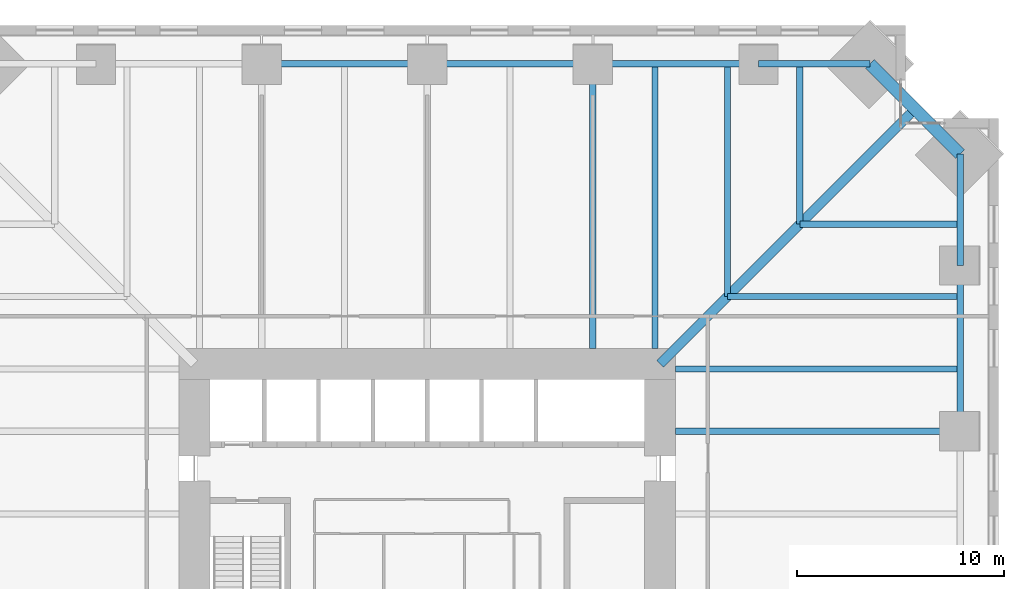
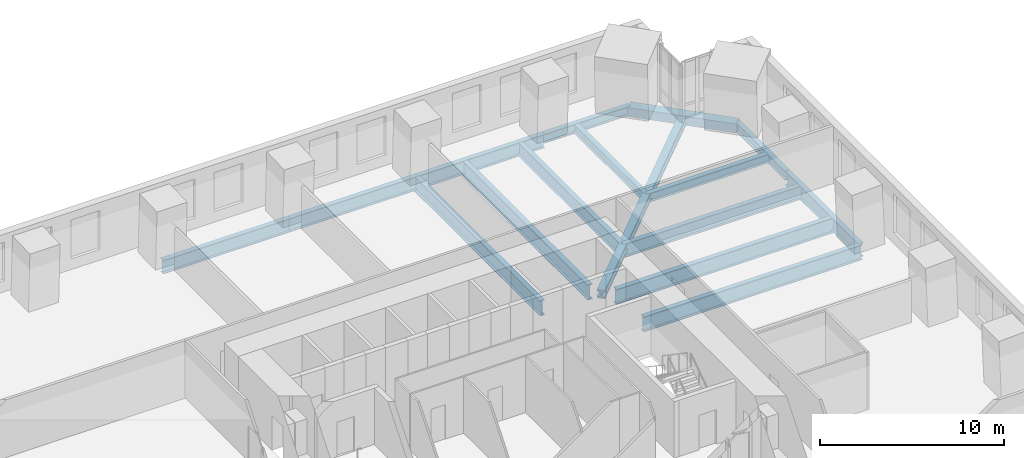
# One storey, part 7 of 16: 16 beams.
"""IFC4 building model written with IfcOpenShell, lengths in metres."""

import ifcopenshell
import ifcopenshell.guid

model = None  # the IFC model being written
_history = None  # IfcOwnerHistory: only IFC2X3 demands one
_inside = {}  # id of a spatial element -> (the spatial element, [elements in it])
_under = {}  # id of a project, library or spatial element -> (it, [spatial elements below it])
_declared = {}  # id of a project -> (the project, [libraries it declares])
_typed = {}  # id of a type object -> (the type object, [elements of that type])
_made_of = {}  # id of a material, layer set ... -> (it, [elements and type objects made of it])


def new_model(schema):
    """Start an empty IFC model of exactly this schema.

    Asked for "IFC4X3", IfcOpenShell would pick the latest addendum, in which some entities
    have other attributes; the version numbers below select the first issue.
    IFC2X3 requires an IfcOwnerHistory on every rooted entity: one is made here for all.
    """
    global model, _history
    if schema == "IFC4X3":
        model = ifcopenshell.file(schema_version=(4, 3, 0, 0))
    else:
        model = ifcopenshell.file(schema=schema)
    _inside.clear()
    _under.clear()
    _declared.clear()
    _typed.clear()
    _made_of.clear()
    _history = None
    if model.schema == "IFC2X3":
        org = make("IfcOrganization", Name="unknown")
        user = make(
            "IfcPersonAndOrganization",
            ThePerson=make("IfcPerson", FamilyName="unknown"),
            TheOrganization=org,
        )
        app = make(
            "IfcApplication",
            ApplicationDeveloper=org,
            Version="unknown",
            ApplicationFullName="unknown",
            ApplicationIdentifier="unknown",
        )
        _history = make(
            "IfcOwnerHistory",
            OwningUser=user,
            OwningApplication=app,
            ChangeAction="ADDED",
            CreationDate=0,
        )
    return model


def make(cls, **values):
    """One entity of the class cls with the attributes given. An attribute that is None is left unset."""
    return model.create_entity(
        cls, **{name: value for name, value in values.items() if value is not None}
    )


def rooted(cls, **values):
    """An entity with a GlobalId (a new one), such as an element, a storey or a relation."""
    return make(cls, GlobalId=ifcopenshell.guid.new(), OwnerHistory=_history, **values)


def si_unit(unit_type, name, prefix=None):
    """IfcSIUnit, for example si_unit("LENGTHUNIT", "METRE", prefix="MILLI")."""
    return make("IfcSIUnit", UnitType=unit_type, Prefix=prefix, Name=name)


def assignment(units):
    """IfcUnitAssignment: the units of a project."""
    return None if units is None else make("IfcUnitAssignment", Units=units)


def point(xyz):
    """IfcCartesianPoint."""
    return None if xyz is None else make("IfcCartesianPoint", Coordinates=xyz)


def direction(xyz):
    """IfcDirection."""
    return None if xyz is None else make("IfcDirection", DirectionRatios=xyz)


def frame(location, z_axis=None, x_axis=None):
    """IfcAxis2Placement3D, a coordinate frame: its origin and axes. An axis left out is left unset."""
    return make(
        "IfcAxis2Placement3D",
        Location=point(location),
        Axis=direction(z_axis),
        RefDirection=direction(x_axis),
    )


def frame_2d(location, x_axis=None):
    """IfcAxis2Placement2D, a coordinate frame in the plane: its origin and x axis."""
    return make(
        "IfcAxis2Placement2D", Location=point(location), RefDirection=direction(x_axis)
    )


def origin():
    """The frame at (0, 0, 0) with its axes left unset."""
    return frame((0.0, 0.0, 0.0))


def origin_2d():
    """The frame at (0, 0) in the plane with its x axis left unset."""
    return frame_2d((0.0, 0.0))


def place(relative_to, where):
    """IfcLocalPlacement: puts the frame where relative to a parent placement (None: the world)."""
    return make(
        "IfcLocalPlacement", PlacementRelTo=relative_to, RelativePlacement=where
    )


def context(
    kind, dimensions, precision=None, world=None, true_north=None, identifier=None
):
    """IfcGeometricRepresentationContext, for example the 3D "Model" context."""
    return make(
        "IfcGeometricRepresentationContext",
        ContextIdentifier=identifier,
        ContextType=kind,
        CoordinateSpaceDimension=dimensions,
        Precision=precision,
        WorldCoordinateSystem=world,
        TrueNorth=true_north,
    )


def subcontext(parent, identifier, kind, view, scale=None):
    """IfcGeometricRepresentationSubContext, for example "Body" below "Model"."""
    return make(
        "IfcGeometricRepresentationSubContext",
        ContextIdentifier=identifier,
        ContextType=kind,
        ParentContext=parent,
        TargetScale=scale,
        TargetView=view,
    )


def project(units=None, contexts=None):
    """IfcProject with its units and contexts."""
    return rooted(
        "IfcProject",
        Name="project",
        RepresentationContexts=contexts,
        UnitsInContext=assignment(units),
    )


def spatial(cls, under=None, at=None, **own):
    """A site, building, storey or space (cls), placed at a placement, below another one or the project."""
    s = rooted(cls, ObjectPlacement=at, **own)
    if under is not None:
        _under.setdefault(under.id(), (under, []))[1].append(s)
    return s


def profile(cls, at=None, kind="AREA", **sizes):
    """A parametric profile (cls). Its sizes go by their IFC names, for example OverallWidth=200.0."""
    return make(cls, ProfileType=kind, Position=at, **sizes)


def hollow_rectangle(**sizes):
    """IfcRectangleHollowProfileDef."""
    return profile("IfcRectangleHollowProfileDef", **sizes)


def i_section(**sizes):
    """IfcIShapeProfileDef."""
    return profile("IfcIShapeProfileDef", **sizes)


def extrude(swept, where, along, depth):
    """IfcExtrudedAreaSolid: the profile swept, set in the frame where, extruded along a direction by depth."""
    return make(
        "IfcExtrudedAreaSolid",
        SweptArea=swept,
        Position=where,
        ExtrudedDirection=direction(along),
        Depth=depth,
    )


def shape(context_of_items, identifier, shape_type, items):
    """IfcShapeRepresentation: the items that make up one representation, for example the "Body"."""
    return make(
        "IfcShapeRepresentation",
        ContextOfItems=context_of_items,
        RepresentationIdentifier=identifier,
        RepresentationType=shape_type,
        Items=items,
    )


def material(Name=None, Category=None):
    """IfcMaterial."""
    return make("IfcMaterial", Name=Name, Category=Category)


def material_profile(
    of_material, cross_section, Name=None, Category=None, Priority=None
):
    """IfcMaterialProfile: a cross section and its material."""
    return make(
        "IfcMaterialProfile",
        Name=Name,
        Material=of_material,
        Profile=cross_section,
        Priority=Priority,
        Category=Category,
    )


def profile_set(profiles, Name=None, composite=None):
    """IfcMaterialProfileSet."""
    return make(
        "IfcMaterialProfileSet",
        Name=Name,
        MaterialProfiles=profiles,
        CompositeProfile=composite,
    )


def made_of(thing, what):
    """Note that an element or type object is made of a material, layer set ...; save() writes the relation."""
    if what is not None:
        _made_of.setdefault(what.id(), (what, []))[1].append(thing)
    return thing


def type_object(cls, material=None, **own):
    """A type object (cls), such as IfcWallType, which elements share."""
    return made_of(rooted(cls, **own), material)


def element(
    cls,
    number,
    at=None,
    inside=None,
    cuts=None,
    type_object=None,
    material=None,
    context=None,
    identifier="Body",
    shape_type=None,
    held_by="IfcProductDefinitionShape",
    body=None,
    shapes=None,
    **own,
):
    """One element of the class cls, such as IfcWall. Its Tag is "e" and its number.

    at: its placement. inside: the storey or other place that contains it. cuts: it is an
    opening in that element (IfcRelVoidsElement). A single representation is given by context,
    identifier, shape_type and body (its items); several are given by shapes. held_by: the class
    of the entity that holds the representations. save() writes the other relations.
    """
    e = rooted(cls, Tag="e%d" % number, ObjectPlacement=at, **own)
    if body is not None:
        shapes = [shape(context, identifier, shape_type, body)]
    if shapes is not None:
        e.Representation = make(held_by, Representations=shapes)
    if inside is not None:
        _inside.setdefault(inside.id(), (inside, []))[1].append(e)
    if cuts is not None:
        rooted(
            "IfcRelVoidsElement", RelatingBuildingElement=cuts, RelatedOpeningElement=e
        )
    if type_object is not None:
        _typed.setdefault(type_object.id(), (type_object, []))[1].append(e)
    return made_of(e, material)


def aggregate(whole, parts):
    """IfcRelAggregates: a whole, such as a stair, and the parts it consists of."""
    return rooted("IfcRelAggregates", RelatingObject=whole, RelatedObjects=parts)


def save(model, path):
    """Write the relations noted so far, then the file.

    IfcRelAggregates (storeys below a building ...), IfcRelContainedInSpatialStructure (elements
    in a storey), IfcRelDefinesByType, IfcRelAssociatesMaterial and IfcRelDeclares: one each for
    every whole, place, type object, material and project.
    """
    for whole, parts in _under.values():
        aggregate(whole, parts)
    for where, things in _inside.values():
        rooted(
            "IfcRelContainedInSpatialStructure",
            RelatedElements=things,
            RelatingStructure=where,
        )
    for kind, things in _typed.values():
        rooted("IfcRelDefinesByType", RelatedObjects=things, RelatingType=kind)
    for what, things in _made_of.values():
        rooted("IfcRelAssociatesMaterial", RelatedObjects=things, RelatingMaterial=what)
    for by, libraries in _declared.values():
        rooted("IfcRelDeclares", RelatingContext=by, RelatedDefinitions=libraries)
    model.write(path)


model = new_model("IFC4")

# Units and contexts
model_context = context("Model", 3, precision=1e-05, world=origin(), true_north=direction((0.0, 1.0)))
body_context = subcontext(model_context, "Body", "Model", "MODEL_VIEW")
ifc_project = project(units=[si_unit("LENGTHUNIT", "METRE"), si_unit("AREAUNIT", "SQUARE_METRE"), si_unit("VOLUMEUNIT", "CUBIC_METRE"), si_unit("PLANEANGLEUNIT", "RADIAN"), si_unit("MASSUNIT", "GRAM", prefix="KILO")], contexts=[model_context])

# Site, building, storey
site_placement = place(None, origin())
site = spatial("IfcSite", under=ifc_project, at=site_placement, CompositionType="ELEMENT")
building_placement = place(site_placement, origin())
building = spatial("IfcBuilding", under=site, at=building_placement, Name="Peilmerk Tower", CompositionType="ELEMENT")
storey_placement = place(building_placement, frame((0.0, 0.0, 127.800048828125)))
storey = spatial("IfcBuildingStorey", under=building, at=storey_placement, Name="L25", CompositionType="ELEMENT", Elevation=127.800048828125)

# Beams
ifc_material_1 = material(Name="Steel S355", Category="steel")
ifc_material_profile_1 = material_profile(ifc_material_1, i_section(OverallWidth=0.302001953125, OverallDepth=0.909912109375, WebThickness=0.02099609375, FlangeThickness=0.0400390625, at=origin_2d()), Name="HEM 900")
ifc_profile_set_1 = profile_set([ifc_material_profile_1], Name="Steel S355")
beam_type_1 = type_object("IfcBeamType", Name="B2 HEM 900 edge beam", PredefinedType="SPANDREL", material=ifc_profile_set_1)
for number, where, z_axis, x_axis, name in (
    (1, (16.0, 25.74365234375, -0.625), (-1.0, 0.0, 0.0), (0.0, -1.0, 0.0), "Edge beam L25"),
    (2, (8.0, 25.74365234375, -0.625), (-1.0, 0.0, 0.0), (0.0, -1.0, 0.0), "Edge beam L25"),
    (3, (0.0, 25.74365234375, -0.625), (-1.0, 0.0, 0.0), (0.0, -1.0, 0.0), "Edge beam L25"),
    (4, (25.74365234375, 8.0, -0.625), (0.0, 1.0, 0.0), (-1.0, 0.0, 0.0), "Edge beam L25"),
):
    element("IfcBeam", number, at=place(storey_placement, frame(where, z_axis=z_axis, x_axis=x_axis)), inside=storey, type_object=beam_type_1, Name=name, PredefinedType="SPANDREL", context=body_context, shape_type="SweptSolid", body=[
        extrude(i_section(OverallWidth=0.302001953125, OverallDepth=0.909912109375, WebThickness=0.02099609375, FlangeThickness=0.0400390625, at=origin_2d()), origin(), (0.0, 0.0, 1.0), 8.0),
    ])
ifc_material_2 = material(Name="Steel S460", Category="steel")
ifc_material_profile_2 = material_profile(ifc_material_2, hollow_rectangle(XDim=0.60009765625, YDim=0.60009765625, WallThickness=0.06005859375, at=origin_2d()), Name="BOX 600x600x60")
ifc_profile_set_2 = profile_set([ifc_material_profile_2], Name="Steel S460")
beam_type_2 = type_object("IfcBeamType", Name="B20 BOX 600x600x60 notch beam", PredefinedType="SPANDREL", material=ifc_profile_set_2)
beam_1_placement = place(storey_placement, frame((21.3935546875, 25.74365234375, -0.469970703125), z_axis=(0.707106781187, -0.707106781187, 0.0), x_axis=(0.707106781187, 0.707106781187, 0.0)))
element("IfcBeam", 5, at=beam_1_placement, inside=storey, type_object=beam_type_2, Name="Notch beam L25", PredefinedType="SPANDREL", context=body_context, shape_type="SweptSolid", body=[
    extrude(hollow_rectangle(XDim=0.60009765625, YDim=0.60009765625, WallThickness=0.06005859375, at=origin_2d()), origin(), (0.0, 0.0, 1.0), 6.15185546875),
])
ifc_material_profile_3 = material_profile(ifc_material_1, i_section(OverallWidth=0.302001953125, OverallDepth=1.008056640625, WebThickness=0.02099609375, FlangeThickness=0.0400390625, at=origin_2d()), Name="HEM 1000")
ifc_profile_set_3 = profile_set([ifc_material_profile_3], Name="Steel S355")
beam_type_3 = type_object("IfcBeamType", Name="B24 HEM 1000 floor girder", PredefinedType="BEAM", material=ifc_profile_set_3)
for number, where, z_axis, x_axis, name in (
    (6, (11.0, 12.0, -0.674072265625), (0.0, 1.0, 0.0), (-1.0, 0.0, 0.0), "Floor beam L25"),
    (7, (8.0, 12.0, -0.674072265625), (0.0, 1.0, 0.0), (-1.0, 0.0, 0.0), "Floor beam L25"),
    (8, (12.0, 8.0, -0.674072265625), (1.0, 0.0, 0.0), (0.0, 1.0, 0.0), "Floor beam L25"),
    (9, (12.0, 11.0, -0.674072265625), (1.0, 0.0, 0.0), (0.0, 1.0, 0.0), "Floor beam L25"),
):
    element("IfcBeam", number, at=place(storey_placement, frame(where, z_axis=z_axis, x_axis=x_axis)), inside=storey, type_object=beam_type_3, Name=name, PredefinedType="BEAM", context=body_context, shape_type="SweptSolid", body=[
        extrude(i_section(OverallWidth=0.302001953125, OverallDepth=1.008056640625, WebThickness=0.02099609375, FlangeThickness=0.0400390625, at=origin_2d()), origin(), (0.0, 0.0, 1.0), 13.74365234375),
    ])
ifc_material_profile_4 = material_profile(ifc_material_1, i_section(OverallWidth=0.300048828125, OverallDepth=0.590087890625, WebThickness=0.012939453125, FlangeThickness=0.02490234375, at=origin_2d()), Name="HEA 600")
ifc_profile_set_4 = profile_set([ifc_material_profile_4], Name="Steel S355")
beam_type_4 = type_object("IfcBeamType", Name="B27 HEA 600 floor beam", PredefinedType="BEAM", material=ifc_profile_set_4)
for number, where, z_axis, x_axis, name in (
    (10, (18.0, 18.0, -0.465087890625), (0.0, 1.0, 0.0), (-1.0, 0.0, 0.0), "Floor beam L25"),
    (11, (18.0, 18.0, -0.465087890625), (1.0, 0.0, 0.0), (0.0, 1.0, 0.0), "Floor beam L25"),
):
    element("IfcBeam", number, at=place(storey_placement, frame(where, z_axis=z_axis, x_axis=x_axis)), inside=storey, type_object=beam_type_4, Name=name, PredefinedType="BEAM", context=body_context, shape_type="SweptSolid", body=[
        extrude(i_section(OverallWidth=0.300048828125, OverallDepth=0.590087890625, WebThickness=0.012939453125, FlangeThickness=0.02490234375, at=origin_2d()), origin(), (0.0, 0.0, 1.0), 7.74365234375),
    ])
ifc_material_profile_5 = material_profile(ifc_material_1, i_section(OverallWidth=0.304931640625, OverallDepth=0.6201171875, WebThickness=0.02099609375, FlangeThickness=0.0400390625, at=origin_2d()), Name="HEM 600")
ifc_profile_set_5 = profile_set([ifc_material_profile_5], Name="Steel S355")
beam_type_5 = type_object("IfcBeamType", Name="B31 HEM 600 edge beam", PredefinedType="SPANDREL", material=ifc_profile_set_5)
for number, where, z_axis, x_axis, name in (
    (12, (21.3935546875, 25.74365234375, -0.47998046875), (-1.0, 0.0, 0.0), (0.0, -1.0, 0.0), "Edge beam L25"),
    (13, (25.74365234375, 16.0, -0.47998046875), (0.0, 1.0, 0.0), (-1.0, 0.0, 0.0), "Edge beam L25"),
):
    element("IfcBeam", number, at=place(storey_placement, frame(where, z_axis=z_axis, x_axis=x_axis)), inside=storey, type_object=beam_type_5, Name=name, PredefinedType="SPANDREL", context=body_context, shape_type="SweptSolid", body=[
        extrude(i_section(OverallWidth=0.304931640625, OverallDepth=0.6201171875, WebThickness=0.02099609375, FlangeThickness=0.0400390625, at=origin_2d()), origin(), (0.0, 0.0, 1.0), 5.3935546875),
    ])
ifc_material_profile_6 = material_profile(ifc_material_1, i_section(OverallWidth=0.300048828125, OverallDepth=0.889892578125, WebThickness=0.01611328125, FlangeThickness=0.030029296875, at=origin_2d()), Name="HEA 900")
ifc_profile_set_6 = profile_set([ifc_material_profile_6], Name="Steel S355")
beam_type_6 = type_object("IfcBeamType", Name="B4 HEA 900 floor beam", PredefinedType="BEAM", material=ifc_profile_set_6)
for number, where, z_axis, x_axis, name in (
    (14, (14.5, 14.5, -0.614990234375), (0.0, 1.0, 0.0), (-1.0, 0.0, 0.0), "Floor beam L25"),
    (15, (14.5, 14.5, -0.614990234375), (1.0, 0.0, 0.0), (0.0, 1.0, 0.0), "Floor beam L25"),
):
    element("IfcBeam", number, at=place(storey_placement, frame(where, z_axis=z_axis, x_axis=x_axis)), inside=storey, type_object=beam_type_6, Name=name, PredefinedType="BEAM", context=body_context, shape_type="SweptSolid", body=[
        extrude(i_section(OverallWidth=0.300048828125, OverallDepth=0.889892578125, WebThickness=0.01611328125, FlangeThickness=0.030029296875, at=origin_2d()), origin(), (0.0, 0.0, 1.0), 11.24365234375),
    ])
ifc_material_profile_7 = material_profile(ifc_material_2, i_section(OverallWidth=0.4541015625, OverallDepth=0.569091796875, WebThickness=0.077880859375, FlangeThickness=0.125, at=origin_2d()), Name="HD 400x1086")
ifc_profile_set_7 = profile_set([ifc_material_profile_7], Name="Steel S460")
beam_type_7 = type_object("IfcBeamType", Name="B9 HD 400x1086 corner girder", PredefinedType="BEAM", material=ifc_profile_set_7)
beam_2_placement = place(storey_placement, frame((11.25, 11.25, -0.45458984375), z_axis=(0.707106781187, 0.707106781187, 0.0), x_axis=(-0.707106781187, 0.707106781187, 0.0)))
element("IfcBeam", 16, at=beam_2_placement, inside=storey, type_object=beam_type_7, Name="Corner girder L25", PredefinedType="BEAM", context=body_context, shape_type="SweptSolid", body=[
    extrude(i_section(OverallWidth=0.4541015625, OverallDepth=0.569091796875, WebThickness=0.077880859375, FlangeThickness=0.125, at=origin_2d()), origin(), (0.0, 0.0, 1.0), 17.421142578125),
])

save(model, "model.ifc")
